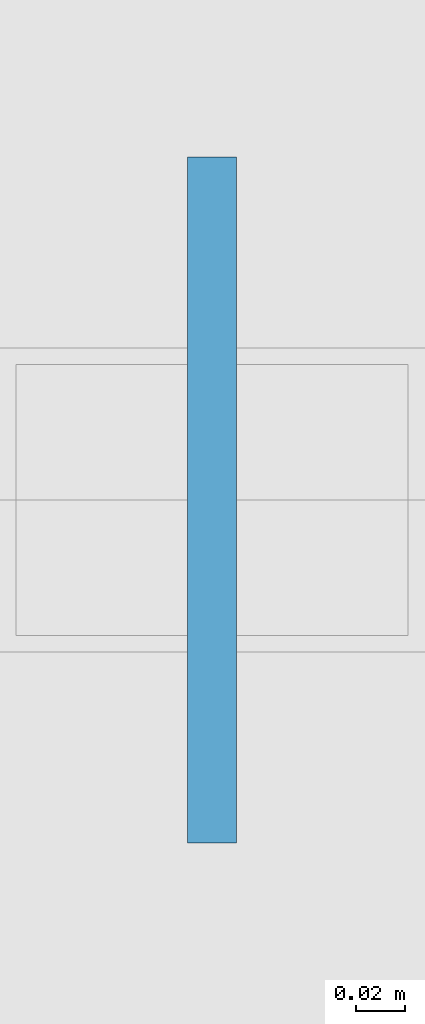
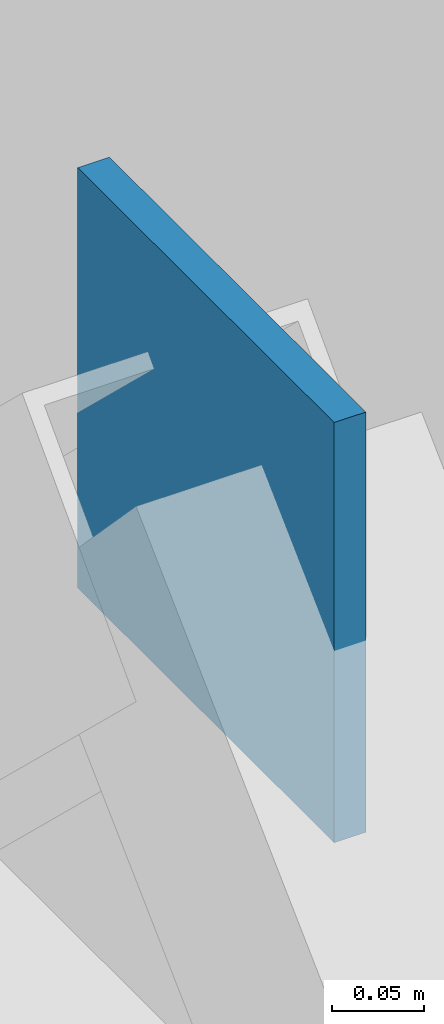
# One storey, part 175 of 196: 1 plate.
"""IFC4 building model written with IfcOpenShell, lengths in metres."""

import ifcopenshell
import ifcopenshell.guid

model = None  # the IFC model being written
_history = None  # IfcOwnerHistory: only IFC2X3 demands one
_inside = {}  # id of a spatial element -> (the spatial element, [elements in it])
_under = {}  # id of a project, library or spatial element -> (it, [spatial elements below it])
_declared = {}  # id of a project -> (the project, [libraries it declares])
_typed = {}  # id of a type object -> (the type object, [elements of that type])
_made_of = {}  # id of a material, layer set ... -> (it, [elements and type objects made of it])


def new_model(schema):
    """Start an empty IFC model of exactly this schema.

    Asked for "IFC4X3", IfcOpenShell would pick the latest addendum, in which some entities
    have other attributes; the version numbers below select the first issue.
    IFC2X3 requires an IfcOwnerHistory on every rooted entity: one is made here for all.
    """
    global model, _history
    if schema == "IFC4X3":
        model = ifcopenshell.file(schema_version=(4, 3, 0, 0))
    else:
        model = ifcopenshell.file(schema=schema)
    _inside.clear()
    _under.clear()
    _declared.clear()
    _typed.clear()
    _made_of.clear()
    _history = None
    if model.schema == "IFC2X3":
        org = make("IfcOrganization", Name="unknown")
        user = make(
            "IfcPersonAndOrganization",
            ThePerson=make("IfcPerson", FamilyName="unknown"),
            TheOrganization=org,
        )
        app = make(
            "IfcApplication",
            ApplicationDeveloper=org,
            Version="unknown",
            ApplicationFullName="unknown",
            ApplicationIdentifier="unknown",
        )
        _history = make(
            "IfcOwnerHistory",
            OwningUser=user,
            OwningApplication=app,
            ChangeAction="ADDED",
            CreationDate=0,
        )
    return model


def make(cls, **values):
    """One entity of the class cls with the attributes given. An attribute that is None is left unset."""
    return model.create_entity(
        cls, **{name: value for name, value in values.items() if value is not None}
    )


def rooted(cls, **values):
    """An entity with a GlobalId (a new one), such as an element, a storey or a relation."""
    return make(cls, GlobalId=ifcopenshell.guid.new(), OwnerHistory=_history, **values)


def si_unit(unit_type, name, prefix=None):
    """IfcSIUnit, for example si_unit("LENGTHUNIT", "METRE", prefix="MILLI")."""
    return make("IfcSIUnit", UnitType=unit_type, Prefix=prefix, Name=name)


def assignment(units):
    """IfcUnitAssignment: the units of a project."""
    return None if units is None else make("IfcUnitAssignment", Units=units)


def point(xyz):
    """IfcCartesianPoint."""
    return None if xyz is None else make("IfcCartesianPoint", Coordinates=xyz)


def direction(xyz):
    """IfcDirection."""
    return None if xyz is None else make("IfcDirection", DirectionRatios=xyz)


def frame(location, z_axis=None, x_axis=None):
    """IfcAxis2Placement3D, a coordinate frame: its origin and axes. An axis left out is left unset."""
    return make(
        "IfcAxis2Placement3D",
        Location=point(location),
        Axis=direction(z_axis),
        RefDirection=direction(x_axis),
    )


def frame_2d(location, x_axis=None):
    """IfcAxis2Placement2D, a coordinate frame in the plane: its origin and x axis."""
    return make(
        "IfcAxis2Placement2D", Location=point(location), RefDirection=direction(x_axis)
    )


def origin():
    """The frame at (0, 0, 0) with its axes left unset."""
    return frame((0.0, 0.0, 0.0))


def origin_2d():
    """The frame at (0, 0) in the plane with its x axis left unset."""
    return frame_2d((0.0, 0.0))


def place(relative_to, where):
    """IfcLocalPlacement: puts the frame where relative to a parent placement (None: the world)."""
    return make(
        "IfcLocalPlacement", PlacementRelTo=relative_to, RelativePlacement=where
    )


def context(
    kind, dimensions, precision=None, world=None, true_north=None, identifier=None
):
    """IfcGeometricRepresentationContext, for example the 3D "Model" context."""
    return make(
        "IfcGeometricRepresentationContext",
        ContextIdentifier=identifier,
        ContextType=kind,
        CoordinateSpaceDimension=dimensions,
        Precision=precision,
        WorldCoordinateSystem=world,
        TrueNorth=true_north,
    )


def subcontext(parent, identifier, kind, view, scale=None):
    """IfcGeometricRepresentationSubContext, for example "Body" below "Model"."""
    return make(
        "IfcGeometricRepresentationSubContext",
        ContextIdentifier=identifier,
        ContextType=kind,
        ParentContext=parent,
        TargetScale=scale,
        TargetView=view,
    )


def project(units=None, contexts=None):
    """IfcProject with its units and contexts."""
    return rooted(
        "IfcProject",
        Name="project",
        RepresentationContexts=contexts,
        UnitsInContext=assignment(units),
    )


def spatial(cls, under=None, at=None, **own):
    """A site, building, storey or space (cls), placed at a placement, below another one or the project."""
    s = rooted(cls, ObjectPlacement=at, **own)
    if under is not None:
        _under.setdefault(under.id(), (under, []))[1].append(s)
    return s


def profile(cls, at=None, kind="AREA", **sizes):
    """A parametric profile (cls). Its sizes go by their IFC names, for example OverallWidth=200.0."""
    return make(cls, ProfileType=kind, Position=at, **sizes)


def rectangle(**sizes):
    """IfcRectangleProfileDef."""
    return profile("IfcRectangleProfileDef", **sizes)


def extrude(swept, where, along, depth):
    """IfcExtrudedAreaSolid: the profile swept, set in the frame where, extruded along a direction by depth."""
    return make(
        "IfcExtrudedAreaSolid",
        SweptArea=swept,
        Position=where,
        ExtrudedDirection=direction(along),
        Depth=depth,
    )


def shape(context_of_items, identifier, shape_type, items):
    """IfcShapeRepresentation: the items that make up one representation, for example the "Body"."""
    return make(
        "IfcShapeRepresentation",
        ContextOfItems=context_of_items,
        RepresentationIdentifier=identifier,
        RepresentationType=shape_type,
        Items=items,
    )


def material(Name=None, Category=None):
    """IfcMaterial."""
    return make("IfcMaterial", Name=Name, Category=Category)


def layer(
    of_material, thickness, ventilated=None, Name=None, Category=None, Priority=None
):
    """IfcMaterialLayer: one layer of a wall or slab, of a material (None: an air gap)."""
    return make(
        "IfcMaterialLayer",
        Material=of_material,
        LayerThickness=thickness,
        IsVentilated=ventilated,
        Name=Name,
        Category=Category,
        Priority=Priority,
    )


def layer_set(layers, Name=None):
    """IfcMaterialLayerSet."""
    return make("IfcMaterialLayerSet", MaterialLayers=layers, LayerSetName=Name)


def made_of(thing, what):
    """Note that an element or type object is made of a material, layer set ...; save() writes the relation."""
    if what is not None:
        _made_of.setdefault(what.id(), (what, []))[1].append(thing)
    return thing


def type_object(cls, material=None, **own):
    """A type object (cls), such as IfcWallType, which elements share."""
    return made_of(rooted(cls, **own), material)


def element(
    cls,
    number,
    at=None,
    inside=None,
    cuts=None,
    type_object=None,
    material=None,
    context=None,
    identifier="Body",
    shape_type=None,
    held_by="IfcProductDefinitionShape",
    body=None,
    shapes=None,
    **own,
):
    """One element of the class cls, such as IfcWall. Its Tag is "e" and its number.

    at: its placement. inside: the storey or other place that contains it. cuts: it is an
    opening in that element (IfcRelVoidsElement). A single representation is given by context,
    identifier, shape_type and body (its items); several are given by shapes. held_by: the class
    of the entity that holds the representations. save() writes the other relations.
    """
    e = rooted(cls, Tag="e%d" % number, ObjectPlacement=at, **own)
    if body is not None:
        shapes = [shape(context, identifier, shape_type, body)]
    if shapes is not None:
        e.Representation = make(held_by, Representations=shapes)
    if inside is not None:
        _inside.setdefault(inside.id(), (inside, []))[1].append(e)
    if cuts is not None:
        rooted(
            "IfcRelVoidsElement", RelatingBuildingElement=cuts, RelatedOpeningElement=e
        )
    if type_object is not None:
        _typed.setdefault(type_object.id(), (type_object, []))[1].append(e)
    return made_of(e, material)


def aggregate(whole, parts):
    """IfcRelAggregates: a whole, such as a stair, and the parts it consists of."""
    return rooted("IfcRelAggregates", RelatingObject=whole, RelatedObjects=parts)


def save(model, path):
    """Write the relations noted so far, then the file.

    IfcRelAggregates (storeys below a building ...), IfcRelContainedInSpatialStructure (elements
    in a storey), IfcRelDefinesByType, IfcRelAssociatesMaterial and IfcRelDeclares: one each for
    every whole, place, type object, material and project.
    """
    for whole, parts in _under.values():
        aggregate(whole, parts)
    for where, things in _inside.values():
        rooted(
            "IfcRelContainedInSpatialStructure",
            RelatedElements=things,
            RelatingStructure=where,
        )
    for kind, things in _typed.values():
        rooted("IfcRelDefinesByType", RelatedObjects=things, RelatingType=kind)
    for what, things in _made_of.values():
        rooted("IfcRelAssociatesMaterial", RelatedObjects=things, RelatingMaterial=what)
    for by, libraries in _declared.values():
        rooted("IfcRelDeclares", RelatingContext=by, RelatedDefinitions=libraries)
    model.write(path)


model = new_model("IFC4")

# Units and contexts
model_context = context("Model", 3, precision=1e-05, world=origin(), true_north=direction((0.0, 1.0)))
body_context = subcontext(model_context, "Body", "Model", "MODEL_VIEW")
ifc_project = project(units=[si_unit("LENGTHUNIT", "METRE"), si_unit("AREAUNIT", "SQUARE_METRE"), si_unit("VOLUMEUNIT", "CUBIC_METRE"), si_unit("PLANEANGLEUNIT", "RADIAN"), si_unit("MASSUNIT", "GRAM", prefix="KILO")], contexts=[model_context])

# Site, building, storey
site_placement = place(None, origin())
site = spatial("IfcSite", under=ifc_project, at=site_placement, CompositionType="ELEMENT")
building_placement = place(site_placement, origin())
building = spatial("IfcBuilding", under=site, at=building_placement, Name="Barlavento Convention Centre", CompositionType="ELEMENT")
storey_placement = place(building_placement, frame((0.0, 0.0, 18.0)))
storey = spatial("IfcBuildingStorey", under=building, at=storey_placement, Name="L03", CompositionType="ELEMENT", Elevation=18.0)

# Plate
ifc_material = material(Name="Steel S355", Category="steel")
ifc_layer = layer(ifc_material, 0.02001953125)
ifc_layer_set = layer_set([ifc_layer], Name="STR-PLT-CAP-280")
plate_type = type_object("IfcPlateType", Name="STR-PLT-CAP-280", PredefinedType="SHEET", material=ifc_layer_set)
plate_placement = place(storey_placement, frame((126.0, 85.5, 4.1201171875), z_axis=(0.0, 0.0, 1.0), x_axis=(1.0, 0.0, 0.0)))
element("IfcPlate", 1, at=plate_placement, inside=storey, type_object=plate_type, Name="Chevron brace gusset splice plate EC03", PredefinedType="SHEET", context=body_context, shape_type="SweptSolid", body=[
    extrude(rectangle(XDim=0.02001953125, YDim=0.280029296875, at=origin_2d()), origin(), (0.0, 0.0, 1.0), 0.280029296875),
])

save(model, "model.ifc")
